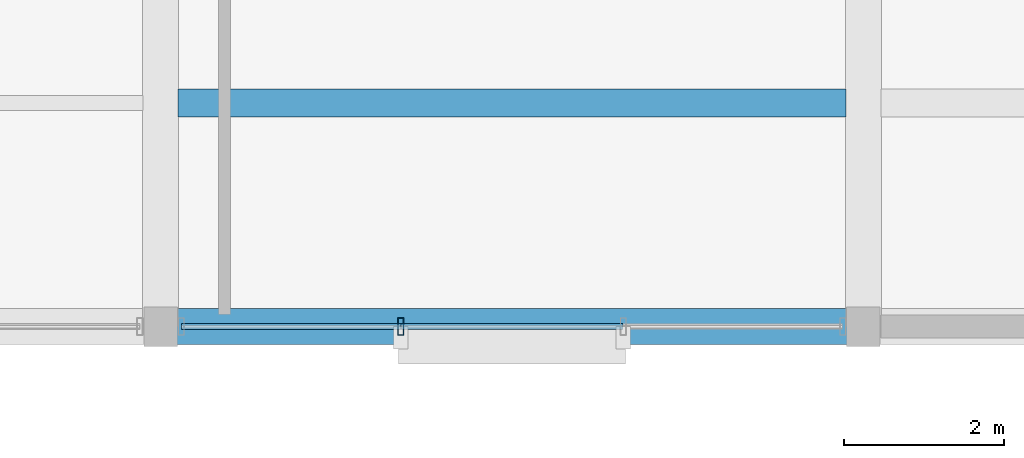
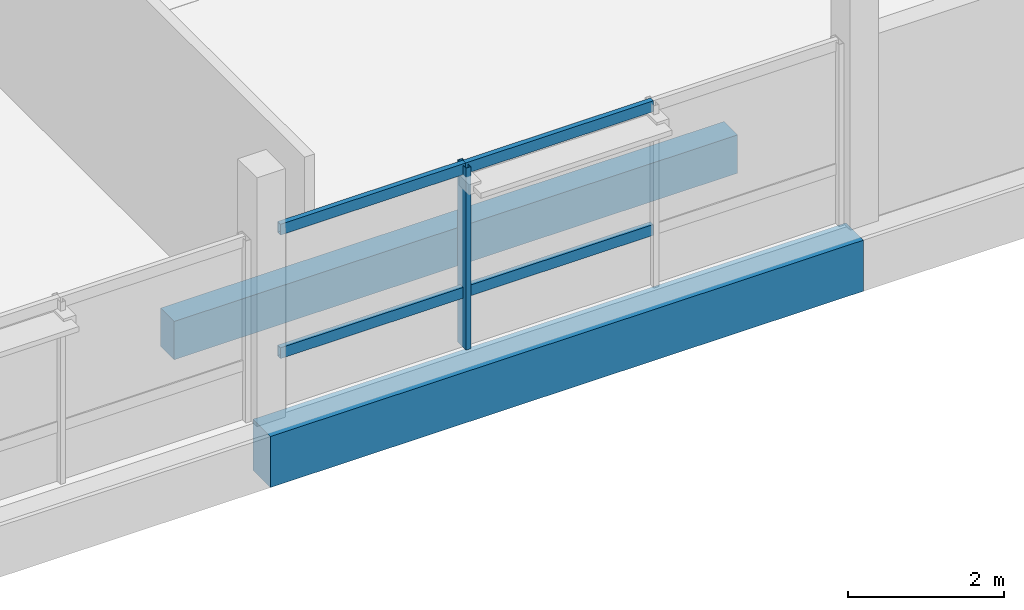
# One storey, part 27 of 62: 5 members, 2 beams, 1 element without a shape of its own.
"""IFC4 building model written with IfcOpenShell, lengths in metres."""

import ifcopenshell
import ifcopenshell.guid

model = None  # the IFC model being written
_history = None  # IfcOwnerHistory: only IFC2X3 demands one
_inside = {}  # id of a spatial element -> (the spatial element, [elements in it])
_under = {}  # id of a project, library or spatial element -> (it, [spatial elements below it])
_declared = {}  # id of a project -> (the project, [libraries it declares])
_typed = {}  # id of a type object -> (the type object, [elements of that type])
_made_of = {}  # id of a material, layer set ... -> (it, [elements and type objects made of it])


def new_model(schema):
    """Start an empty IFC model of exactly this schema.

    Asked for "IFC4X3", IfcOpenShell would pick the latest addendum, in which some entities
    have other attributes; the version numbers below select the first issue.
    IFC2X3 requires an IfcOwnerHistory on every rooted entity: one is made here for all.
    """
    global model, _history
    if schema == "IFC4X3":
        model = ifcopenshell.file(schema_version=(4, 3, 0, 0))
    else:
        model = ifcopenshell.file(schema=schema)
    _inside.clear()
    _under.clear()
    _declared.clear()
    _typed.clear()
    _made_of.clear()
    _history = None
    if model.schema == "IFC2X3":
        org = make("IfcOrganization", Name="unknown")
        user = make(
            "IfcPersonAndOrganization",
            ThePerson=make("IfcPerson", FamilyName="unknown"),
            TheOrganization=org,
        )
        app = make(
            "IfcApplication",
            ApplicationDeveloper=org,
            Version="unknown",
            ApplicationFullName="unknown",
            ApplicationIdentifier="unknown",
        )
        _history = make(
            "IfcOwnerHistory",
            OwningUser=user,
            OwningApplication=app,
            ChangeAction="ADDED",
            CreationDate=0,
        )
    return model


def make(cls, **values):
    """One entity of the class cls with the attributes given. An attribute that is None is left unset."""
    return model.create_entity(
        cls, **{name: value for name, value in values.items() if value is not None}
    )


def rooted(cls, **values):
    """An entity with a GlobalId (a new one), such as an element, a storey or a relation."""
    return make(cls, GlobalId=ifcopenshell.guid.new(), OwnerHistory=_history, **values)


def si_unit(unit_type, name, prefix=None):
    """IfcSIUnit, for example si_unit("LENGTHUNIT", "METRE", prefix="MILLI")."""
    return make("IfcSIUnit", UnitType=unit_type, Prefix=prefix, Name=name)


def assignment(units):
    """IfcUnitAssignment: the units of a project."""
    return None if units is None else make("IfcUnitAssignment", Units=units)


def point(xyz):
    """IfcCartesianPoint."""
    return None if xyz is None else make("IfcCartesianPoint", Coordinates=xyz)


def direction(xyz):
    """IfcDirection."""
    return None if xyz is None else make("IfcDirection", DirectionRatios=xyz)


def frame(location, z_axis=None, x_axis=None):
    """IfcAxis2Placement3D, a coordinate frame: its origin and axes. An axis left out is left unset."""
    return make(
        "IfcAxis2Placement3D",
        Location=point(location),
        Axis=direction(z_axis),
        RefDirection=direction(x_axis),
    )


def frame_2d(location, x_axis=None):
    """IfcAxis2Placement2D, a coordinate frame in the plane: its origin and x axis."""
    return make(
        "IfcAxis2Placement2D", Location=point(location), RefDirection=direction(x_axis)
    )


def origin():
    """The frame at (0, 0, 0) with its axes left unset."""
    return frame((0.0, 0.0, 0.0))


def origin_2d():
    """The frame at (0, 0) in the plane with its x axis left unset."""
    return frame_2d((0.0, 0.0))


def place(relative_to, where):
    """IfcLocalPlacement: puts the frame where relative to a parent placement (None: the world)."""
    return make(
        "IfcLocalPlacement", PlacementRelTo=relative_to, RelativePlacement=where
    )


def context(
    kind, dimensions, precision=None, world=None, true_north=None, identifier=None
):
    """IfcGeometricRepresentationContext, for example the 3D "Model" context."""
    return make(
        "IfcGeometricRepresentationContext",
        ContextIdentifier=identifier,
        ContextType=kind,
        CoordinateSpaceDimension=dimensions,
        Precision=precision,
        WorldCoordinateSystem=world,
        TrueNorth=true_north,
    )


def subcontext(parent, identifier, kind, view, scale=None):
    """IfcGeometricRepresentationSubContext, for example "Body" below "Model"."""
    return make(
        "IfcGeometricRepresentationSubContext",
        ContextIdentifier=identifier,
        ContextType=kind,
        ParentContext=parent,
        TargetScale=scale,
        TargetView=view,
    )


def project(units=None, contexts=None):
    """IfcProject with its units and contexts."""
    return rooted(
        "IfcProject",
        Name="project",
        RepresentationContexts=contexts,
        UnitsInContext=assignment(units),
    )


def spatial(cls, under=None, at=None, **own):
    """A site, building, storey or space (cls), placed at a placement, below another one or the project."""
    s = rooted(cls, ObjectPlacement=at, **own)
    if under is not None:
        _under.setdefault(under.id(), (under, []))[1].append(s)
    return s


def profile(cls, at=None, kind="AREA", **sizes):
    """A parametric profile (cls). Its sizes go by their IFC names, for example OverallWidth=200.0."""
    return make(cls, ProfileType=kind, Position=at, **sizes)


def rectangle(**sizes):
    """IfcRectangleProfileDef."""
    return profile("IfcRectangleProfileDef", **sizes)


def hollow_rectangle(**sizes):
    """IfcRectangleHollowProfileDef."""
    return profile("IfcRectangleHollowProfileDef", **sizes)


def extrude(swept, where, along, depth):
    """IfcExtrudedAreaSolid: the profile swept, set in the frame where, extruded along a direction by depth."""
    return make(
        "IfcExtrudedAreaSolid",
        SweptArea=swept,
        Position=where,
        ExtrudedDirection=direction(along),
        Depth=depth,
    )


def shape(context_of_items, identifier, shape_type, items):
    """IfcShapeRepresentation: the items that make up one representation, for example the "Body"."""
    return make(
        "IfcShapeRepresentation",
        ContextOfItems=context_of_items,
        RepresentationIdentifier=identifier,
        RepresentationType=shape_type,
        Items=items,
    )


def material(Name=None, Category=None):
    """IfcMaterial."""
    return make("IfcMaterial", Name=Name, Category=Category)


def layer(
    of_material, thickness, ventilated=None, Name=None, Category=None, Priority=None
):
    """IfcMaterialLayer: one layer of a wall or slab, of a material (None: an air gap)."""
    return make(
        "IfcMaterialLayer",
        Material=of_material,
        LayerThickness=thickness,
        IsVentilated=ventilated,
        Name=Name,
        Category=Category,
        Priority=Priority,
    )


def layer_set(layers, Name=None):
    """IfcMaterialLayerSet."""
    return make("IfcMaterialLayerSet", MaterialLayers=layers, LayerSetName=Name)


def material_profile(
    of_material, cross_section, Name=None, Category=None, Priority=None
):
    """IfcMaterialProfile: a cross section and its material."""
    return make(
        "IfcMaterialProfile",
        Name=Name,
        Material=of_material,
        Profile=cross_section,
        Priority=Priority,
        Category=Category,
    )


def profile_set(profiles, Name=None, composite=None):
    """IfcMaterialProfileSet."""
    return make(
        "IfcMaterialProfileSet",
        Name=Name,
        MaterialProfiles=profiles,
        CompositeProfile=composite,
    )


def made_of(thing, what):
    """Note that an element or type object is made of a material, layer set ...; save() writes the relation."""
    if what is not None:
        _made_of.setdefault(what.id(), (what, []))[1].append(thing)
    return thing


def type_object(cls, material=None, **own):
    """A type object (cls), such as IfcWallType, which elements share."""
    return made_of(rooted(cls, **own), material)


def element(
    cls,
    number,
    at=None,
    inside=None,
    cuts=None,
    type_object=None,
    material=None,
    context=None,
    identifier="Body",
    shape_type=None,
    held_by="IfcProductDefinitionShape",
    body=None,
    shapes=None,
    **own,
):
    """One element of the class cls, such as IfcWall. Its Tag is "e" and its number.

    at: its placement. inside: the storey or other place that contains it. cuts: it is an
    opening in that element (IfcRelVoidsElement). A single representation is given by context,
    identifier, shape_type and body (its items); several are given by shapes. held_by: the class
    of the entity that holds the representations. save() writes the other relations.
    """
    e = rooted(cls, Tag="e%d" % number, ObjectPlacement=at, **own)
    if body is not None:
        shapes = [shape(context, identifier, shape_type, body)]
    if shapes is not None:
        e.Representation = make(held_by, Representations=shapes)
    if inside is not None:
        _inside.setdefault(inside.id(), (inside, []))[1].append(e)
    if cuts is not None:
        rooted(
            "IfcRelVoidsElement", RelatingBuildingElement=cuts, RelatedOpeningElement=e
        )
    if type_object is not None:
        _typed.setdefault(type_object.id(), (type_object, []))[1].append(e)
    return made_of(e, material)


def aggregate(whole, parts):
    """IfcRelAggregates: a whole, such as a stair, and the parts it consists of."""
    return rooted("IfcRelAggregates", RelatingObject=whole, RelatedObjects=parts)


def save(model, path):
    """Write the relations noted so far, then the file.

    IfcRelAggregates (storeys below a building ...), IfcRelContainedInSpatialStructure (elements
    in a storey), IfcRelDefinesByType, IfcRelAssociatesMaterial and IfcRelDeclares: one each for
    every whole, place, type object, material and project.
    """
    for whole, parts in _under.values():
        aggregate(whole, parts)
    for where, things in _inside.values():
        rooted(
            "IfcRelContainedInSpatialStructure",
            RelatedElements=things,
            RelatingStructure=where,
        )
    for kind, things in _typed.values():
        rooted("IfcRelDefinesByType", RelatedObjects=things, RelatingType=kind)
    for what, things in _made_of.values():
        rooted("IfcRelAssociatesMaterial", RelatedObjects=things, RelatingMaterial=what)
    for by, libraries in _declared.values():
        rooted("IfcRelDeclares", RelatingContext=by, RelatedDefinitions=libraries)
    model.write(path)


model = new_model("IFC4")

# Units and contexts
model_context = context("Model", 3, precision=1e-05, world=origin(), true_north=direction((0.0, 1.0)))
body_context = subcontext(model_context, "Body", "Model", "MODEL_VIEW")
ifc_project = project(units=[si_unit("LENGTHUNIT", "METRE"), si_unit("AREAUNIT", "SQUARE_METRE"), si_unit("VOLUMEUNIT", "CUBIC_METRE"), si_unit("PLANEANGLEUNIT", "RADIAN"), si_unit("MASSUNIT", "GRAM", prefix="KILO")], contexts=[model_context])

# Site, building, storey
site_placement = place(None, origin())
site = spatial("IfcSite", under=ifc_project, at=site_placement, CompositionType="ELEMENT")
building_placement = place(site_placement, origin())
building = spatial("IfcBuilding", under=site, at=building_placement, Name="Meriwether Solvik Hall", CompositionType="ELEMENT")
storey_placement = place(building_placement, frame((0.0, 0.0, 14.39990234375)))
storey = spatial("IfcBuildingStorey", under=building, at=storey_placement, Name="L03", CompositionType="ELEMENT", Elevation=14.39990234375)

# Beams
ifc_material_1 = material(Name="Concrete C40/50", Category="concrete")
ifc_material_profile_1 = material_profile(ifc_material_1, rectangle(XDim=0.35009765625, YDim=0.60009765625, at=origin_2d()), Name="RCB-350X600")
ifc_profile_set_1 = profile_set([ifc_material_profile_1], Name="Concrete C40/50")
beam_type_1 = type_object("IfcBeamType", Name="BM-RC-350X600", PredefinedType="JOIST", material=ifc_profile_set_1)
beam_1_placement = place(storey_placement, frame((149.6201171875, 52.800048828125, -0.544921875), z_axis=(1.0, 0.0, 0.0), x_axis=(0.0, 1.0, 0.0)))
element("IfcBeam", 1, at=beam_1_placement, inside=storey, type_object=beam_type_1, Name="Secondary Floor Joist 17/F_J1 (L03)", PredefinedType="JOIST", context=body_context, shape_type="SweptSolid", body=[
    extrude(rectangle(XDim=0.35009765625, YDim=0.60009765625, at=origin_2d()), origin(), (0.0, 0.0, 1.0), 8.35986328125),
])
ifc_material_2 = material(Name="Concrete C40/50", Category="concrete")
ifc_material_profile_2 = material_profile(ifc_material_2, rectangle(XDim=0.449951171875, YDim=0.800048828125, at=origin_2d()), Name="RCB-450X800")
ifc_profile_set_2 = profile_set([ifc_material_profile_2], Name="Concrete C40/50")
beam_type_2 = type_object("IfcBeamType", Name="BM-RC-450X800", PredefinedType="BEAM", material=ifc_profile_set_2)
beam_2_placement = place(storey_placement, frame((149.39990234375, 50.0, -0.64501953125), z_axis=(1.0, 0.0, 0.0), x_axis=(0.0, 1.0, 0.0)))
element("IfcBeam", 2, at=beam_2_placement, inside=storey, type_object=beam_type_2, Name="Podium Girder F:17-18 (L03)", PredefinedType="BEAM", context=body_context, shape_type="SweptSolid", body=[
    extrude(rectangle(XDim=0.449951171875, YDim=0.800048828125, at=origin_2d()), origin(), (0.0, 0.0, 1.0), 8.800048828125),
])

# Curtain wall, members
ifc_material_3 = material(Name="Thermally Broken Anodised Aluminium 6063-T6 and Low-E Glass", Category="aluminium")
ifc_layer = layer(ifc_material_3, 0.179931640625)
ifc_layer_set = layer_set([ifc_layer], Name="Thermally Broken Anodised Aluminium 6063-T6 and Low-E Glass")
curtain_wall_type = type_object("IfcCurtainWallType", Name="CW-UNIT-E", PredefinedType="USERDEFINED", material=ifc_layer_set)
curtain_wall_placement = place(storey_placement, origin())
curtain_wall = element("IfcCurtainWall", 3, at=curtain_wall_placement, inside=storey, type_object=curtain_wall_type, Name="Curtain Wall wing_XF_17_10 (L03)", ObjectType="UNITISED CURTAIN WALL", PredefinedType="USERDEFINED")
ifc_material_4 = material(Name="Anodised Aluminium 6063-T6", Category="aluminium")
ifc_material_profile_3 = material_profile(ifc_material_4, hollow_rectangle(XDim=0.074951171875, YDim=0.219970703125, WallThickness=0.005615234375, at=origin_2d()), Name="CWM-75X220")
ifc_profile_set_3 = profile_set([ifc_material_profile_3], Name="Anodised Aluminium 6063-T6")
member_type_1 = type_object("IfcMemberType", Name="CW-MUL-75X220", PredefinedType="MULLION", material=ifc_profile_set_3)
member_1_placement = place(storey_placement, frame((152.4072265625, 50.0, 0.0), z_axis=(0.0, 0.0, 1.0), x_axis=(-1.0, 0.0, 0.0)))
member_1 = element("IfcMember", 4, at=member_1_placement, type_object=member_type_1, Name="Curtain Wall Mullion 3", PredefinedType="MULLION", context=body_context, shape_type="SweptSolid", body=[
    extrude(hollow_rectangle(XDim=0.074951171875, YDim=0.219970703125, WallThickness=0.005615234375, at=origin_2d()), origin(), (0.0, 0.0, 1.0), 2.85498046875),
])
ifc_material_5 = material(Name="Anodised Aluminium 6063-T6", Category="aluminium")
ifc_material_profile_4 = material_profile(ifc_material_5, hollow_rectangle(XDim=0.074951171875, YDim=0.169921875, WallThickness=0.005615234375, at=origin_2d()), Name="CWT-75X170")
ifc_profile_set_4 = profile_set([ifc_material_profile_4], Name="Anodised Aluminium 6063-T6")
member_type_2 = type_object("IfcMemberType", Name="CW-TRN-75X170", PredefinedType="USERDEFINED", material=ifc_profile_set_4)
member_2_placement = place(storey_placement, frame((155.192626953125, 50.0, 0.856689453125), z_axis=(-1.0, 0.0, 0.0), x_axis=(0.0, -1.0, 0.0)))
member_2 = element("IfcMember", 5, at=member_2_placement, type_object=member_type_2, Name="Curtain Wall Transom 2-sill", ObjectType="TRANSOM", PredefinedType="USERDEFINED", context=body_context, shape_type="SweptSolid", body=[
    extrude(hollow_rectangle(XDim=0.074951171875, YDim=0.169921875, WallThickness=0.005615234375, at=origin_2d()), origin(), (0.0, 0.0, 1.0), 2.785400390625),
])
member_3_placement = place(storey_placement, frame((155.192626953125, 50.0, 2.795166015625), z_axis=(-1.0, 0.0, 0.0), x_axis=(0.0, -1.0, 0.0)))
member_3 = element("IfcMember", 6, at=member_3_placement, type_object=member_type_2, Name="Curtain Wall Transom 2-head", ObjectType="TRANSOM", PredefinedType="USERDEFINED", context=body_context, shape_type="SweptSolid", body=[
    extrude(hollow_rectangle(XDim=0.074951171875, YDim=0.169921875, WallThickness=0.005615234375, at=origin_2d()), origin(), (0.0, 0.0, 1.0), 2.785400390625),
])
member_4_placement = place(storey_placement, frame((152.4072265625, 50.0, 0.856689453125), z_axis=(-1.0, 0.0, 0.0), x_axis=(0.0, -1.0, 0.0)))
member_4 = element("IfcMember", 7, at=member_4_placement, type_object=member_type_2, Name="Curtain Wall Transom 3-sill", ObjectType="TRANSOM", PredefinedType="USERDEFINED", context=body_context, shape_type="SweptSolid", body=[
    extrude(hollow_rectangle(XDim=0.074951171875, YDim=0.169921875, WallThickness=0.005615234375, at=origin_2d()), origin(), (0.0, 0.0, 1.0), 2.747314453125),
])
member_5_placement = place(storey_placement, frame((152.4072265625, 50.0, 2.795166015625), z_axis=(-1.0, 0.0, 0.0), x_axis=(0.0, -1.0, 0.0)))
member_5 = element("IfcMember", 8, at=member_5_placement, type_object=member_type_2, Name="Curtain Wall Transom 3-head", ObjectType="TRANSOM", PredefinedType="USERDEFINED", context=body_context, shape_type="SweptSolid", body=[
    extrude(hollow_rectangle(XDim=0.074951171875, YDim=0.169921875, WallThickness=0.005615234375, at=origin_2d()), origin(), (0.0, 0.0, 1.0), 2.747314453125),
])
aggregate(curtain_wall, [member_1, member_2, member_3, member_4, member_5])

save(model, "model.ifc")
